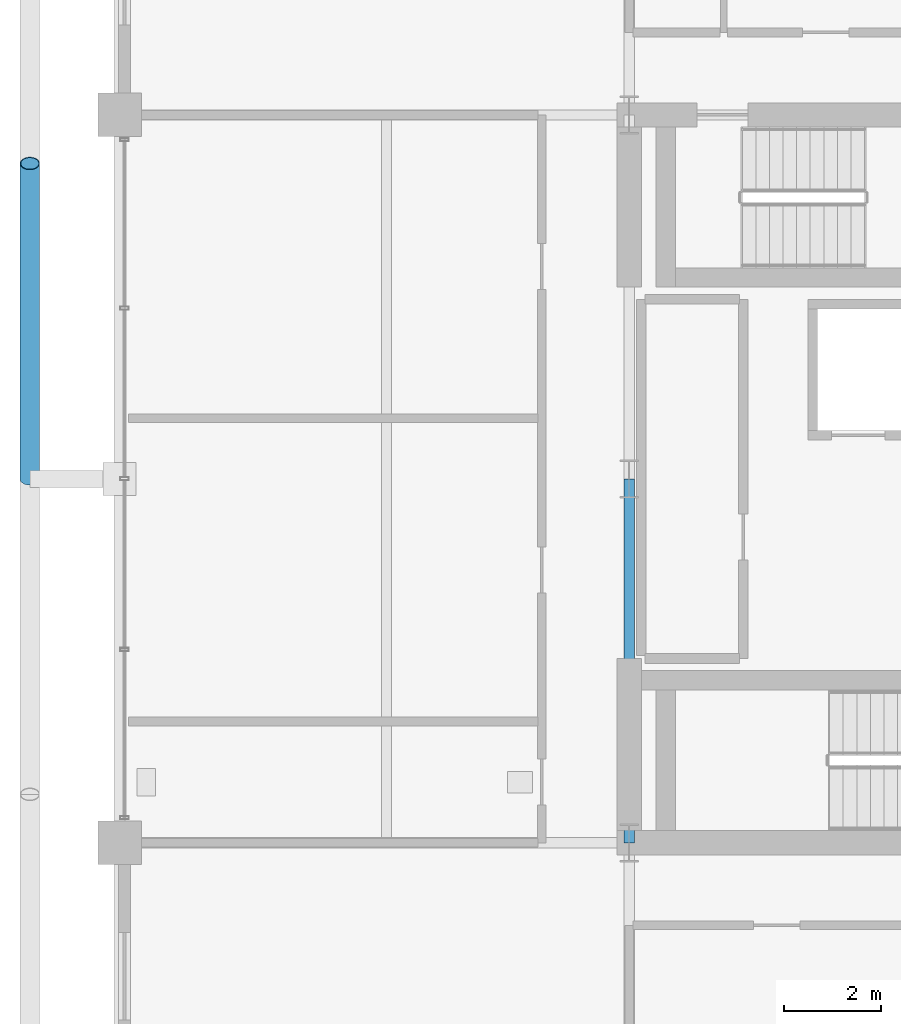
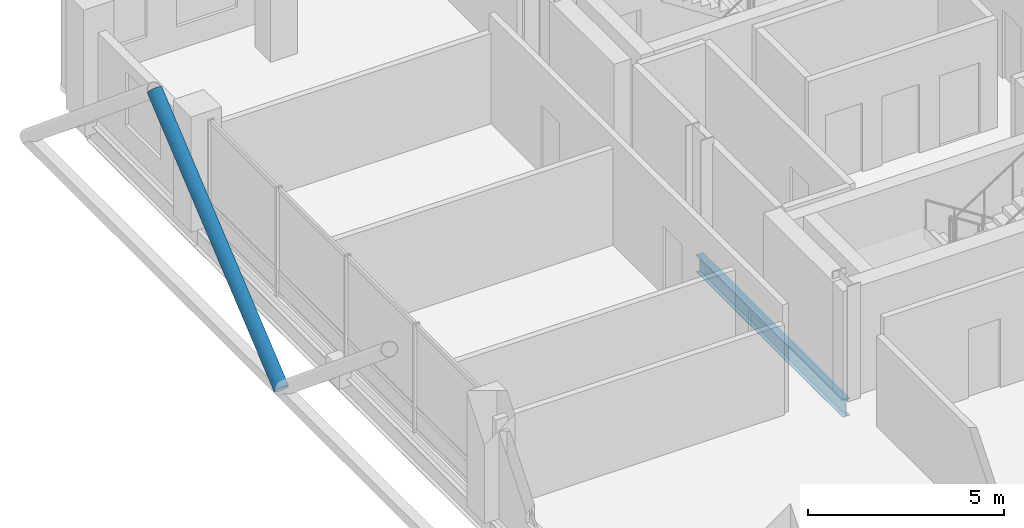
# One storey, part 9 of 24: 1 beam, 1 member.
"""IFC4 building model written with IfcOpenShell, lengths in metres."""

import ifcopenshell
import ifcopenshell.guid

model = None  # the IFC model being written
_history = None  # IfcOwnerHistory: only IFC2X3 demands one
_inside = {}  # id of a spatial element -> (the spatial element, [elements in it])
_under = {}  # id of a project, library or spatial element -> (it, [spatial elements below it])
_declared = {}  # id of a project -> (the project, [libraries it declares])
_typed = {}  # id of a type object -> (the type object, [elements of that type])
_made_of = {}  # id of a material, layer set ... -> (it, [elements and type objects made of it])


def new_model(schema):
    """Start an empty IFC model of exactly this schema.

    Asked for "IFC4X3", IfcOpenShell would pick the latest addendum, in which some entities
    have other attributes; the version numbers below select the first issue.
    IFC2X3 requires an IfcOwnerHistory on every rooted entity: one is made here for all.
    """
    global model, _history
    if schema == "IFC4X3":
        model = ifcopenshell.file(schema_version=(4, 3, 0, 0))
    else:
        model = ifcopenshell.file(schema=schema)
    _inside.clear()
    _under.clear()
    _declared.clear()
    _typed.clear()
    _made_of.clear()
    _history = None
    if model.schema == "IFC2X3":
        org = make("IfcOrganization", Name="unknown")
        user = make(
            "IfcPersonAndOrganization",
            ThePerson=make("IfcPerson", FamilyName="unknown"),
            TheOrganization=org,
        )
        app = make(
            "IfcApplication",
            ApplicationDeveloper=org,
            Version="unknown",
            ApplicationFullName="unknown",
            ApplicationIdentifier="unknown",
        )
        _history = make(
            "IfcOwnerHistory",
            OwningUser=user,
            OwningApplication=app,
            ChangeAction="ADDED",
            CreationDate=0,
        )
    return model


def make(cls, **values):
    """One entity of the class cls with the attributes given. An attribute that is None is left unset."""
    return model.create_entity(
        cls, **{name: value for name, value in values.items() if value is not None}
    )


def rooted(cls, **values):
    """An entity with a GlobalId (a new one), such as an element, a storey or a relation."""
    return make(cls, GlobalId=ifcopenshell.guid.new(), OwnerHistory=_history, **values)


def si_unit(unit_type, name, prefix=None):
    """IfcSIUnit, for example si_unit("LENGTHUNIT", "METRE", prefix="MILLI")."""
    return make("IfcSIUnit", UnitType=unit_type, Prefix=prefix, Name=name)


def assignment(units):
    """IfcUnitAssignment: the units of a project."""
    return None if units is None else make("IfcUnitAssignment", Units=units)


def point(xyz):
    """IfcCartesianPoint."""
    return None if xyz is None else make("IfcCartesianPoint", Coordinates=xyz)


def direction(xyz):
    """IfcDirection."""
    return None if xyz is None else make("IfcDirection", DirectionRatios=xyz)


def frame(location, z_axis=None, x_axis=None):
    """IfcAxis2Placement3D, a coordinate frame: its origin and axes. An axis left out is left unset."""
    return make(
        "IfcAxis2Placement3D",
        Location=point(location),
        Axis=direction(z_axis),
        RefDirection=direction(x_axis),
    )


def frame_2d(location, x_axis=None):
    """IfcAxis2Placement2D, a coordinate frame in the plane: its origin and x axis."""
    return make(
        "IfcAxis2Placement2D", Location=point(location), RefDirection=direction(x_axis)
    )


def origin():
    """The frame at (0, 0, 0) with its axes left unset."""
    return frame((0.0, 0.0, 0.0))


def origin_2d():
    """The frame at (0, 0) in the plane with its x axis left unset."""
    return frame_2d((0.0, 0.0))


def place(relative_to, where):
    """IfcLocalPlacement: puts the frame where relative to a parent placement (None: the world)."""
    return make(
        "IfcLocalPlacement", PlacementRelTo=relative_to, RelativePlacement=where
    )


def context(
    kind, dimensions, precision=None, world=None, true_north=None, identifier=None
):
    """IfcGeometricRepresentationContext, for example the 3D "Model" context."""
    return make(
        "IfcGeometricRepresentationContext",
        ContextIdentifier=identifier,
        ContextType=kind,
        CoordinateSpaceDimension=dimensions,
        Precision=precision,
        WorldCoordinateSystem=world,
        TrueNorth=true_north,
    )


def subcontext(parent, identifier, kind, view, scale=None):
    """IfcGeometricRepresentationSubContext, for example "Body" below "Model"."""
    return make(
        "IfcGeometricRepresentationSubContext",
        ContextIdentifier=identifier,
        ContextType=kind,
        ParentContext=parent,
        TargetScale=scale,
        TargetView=view,
    )


def project(units=None, contexts=None):
    """IfcProject with its units and contexts."""
    return rooted(
        "IfcProject",
        Name="project",
        RepresentationContexts=contexts,
        UnitsInContext=assignment(units),
    )


def spatial(cls, under=None, at=None, **own):
    """A site, building, storey or space (cls), placed at a placement, below another one or the project."""
    s = rooted(cls, ObjectPlacement=at, **own)
    if under is not None:
        _under.setdefault(under.id(), (under, []))[1].append(s)
    return s


def profile(cls, at=None, kind="AREA", **sizes):
    """A parametric profile (cls). Its sizes go by their IFC names, for example OverallWidth=200.0."""
    return make(cls, ProfileType=kind, Position=at, **sizes)


def hollow_circle(**sizes):
    """IfcCircleHollowProfileDef."""
    return profile("IfcCircleHollowProfileDef", **sizes)


def i_section(**sizes):
    """IfcIShapeProfileDef."""
    return profile("IfcIShapeProfileDef", **sizes)


def extrude(swept, where, along, depth):
    """IfcExtrudedAreaSolid: the profile swept, set in the frame where, extruded along a direction by depth."""
    return make(
        "IfcExtrudedAreaSolid",
        SweptArea=swept,
        Position=where,
        ExtrudedDirection=direction(along),
        Depth=depth,
    )


def shape(context_of_items, identifier, shape_type, items):
    """IfcShapeRepresentation: the items that make up one representation, for example the "Body"."""
    return make(
        "IfcShapeRepresentation",
        ContextOfItems=context_of_items,
        RepresentationIdentifier=identifier,
        RepresentationType=shape_type,
        Items=items,
    )


def material(Name=None, Category=None):
    """IfcMaterial."""
    return make("IfcMaterial", Name=Name, Category=Category)


def material_profile(
    of_material, cross_section, Name=None, Category=None, Priority=None
):
    """IfcMaterialProfile: a cross section and its material."""
    return make(
        "IfcMaterialProfile",
        Name=Name,
        Material=of_material,
        Profile=cross_section,
        Priority=Priority,
        Category=Category,
    )


def profile_set(profiles, Name=None, composite=None):
    """IfcMaterialProfileSet."""
    return make(
        "IfcMaterialProfileSet",
        Name=Name,
        MaterialProfiles=profiles,
        CompositeProfile=composite,
    )


def made_of(thing, what):
    """Note that an element or type object is made of a material, layer set ...; save() writes the relation."""
    if what is not None:
        _made_of.setdefault(what.id(), (what, []))[1].append(thing)
    return thing


def type_object(cls, material=None, **own):
    """A type object (cls), such as IfcWallType, which elements share."""
    return made_of(rooted(cls, **own), material)


def element(
    cls,
    number,
    at=None,
    inside=None,
    cuts=None,
    type_object=None,
    material=None,
    context=None,
    identifier="Body",
    shape_type=None,
    held_by="IfcProductDefinitionShape",
    body=None,
    shapes=None,
    **own,
):
    """One element of the class cls, such as IfcWall. Its Tag is "e" and its number.

    at: its placement. inside: the storey or other place that contains it. cuts: it is an
    opening in that element (IfcRelVoidsElement). A single representation is given by context,
    identifier, shape_type and body (its items); several are given by shapes. held_by: the class
    of the entity that holds the representations. save() writes the other relations.
    """
    e = rooted(cls, Tag="e%d" % number, ObjectPlacement=at, **own)
    if body is not None:
        shapes = [shape(context, identifier, shape_type, body)]
    if shapes is not None:
        e.Representation = make(held_by, Representations=shapes)
    if inside is not None:
        _inside.setdefault(inside.id(), (inside, []))[1].append(e)
    if cuts is not None:
        rooted(
            "IfcRelVoidsElement", RelatingBuildingElement=cuts, RelatedOpeningElement=e
        )
    if type_object is not None:
        _typed.setdefault(type_object.id(), (type_object, []))[1].append(e)
    return made_of(e, material)


def aggregate(whole, parts):
    """IfcRelAggregates: a whole, such as a stair, and the parts it consists of."""
    return rooted("IfcRelAggregates", RelatingObject=whole, RelatedObjects=parts)


def save(model, path):
    """Write the relations noted so far, then the file.

    IfcRelAggregates (storeys below a building ...), IfcRelContainedInSpatialStructure (elements
    in a storey), IfcRelDefinesByType, IfcRelAssociatesMaterial and IfcRelDeclares: one each for
    every whole, place, type object, material and project.
    """
    for whole, parts in _under.values():
        aggregate(whole, parts)
    for where, things in _inside.values():
        rooted(
            "IfcRelContainedInSpatialStructure",
            RelatedElements=things,
            RelatingStructure=where,
        )
    for kind, things in _typed.values():
        rooted("IfcRelDefinesByType", RelatedObjects=things, RelatingType=kind)
    for what, things in _made_of.values():
        rooted("IfcRelAssociatesMaterial", RelatedObjects=things, RelatingMaterial=what)
    for by, libraries in _declared.values():
        rooted("IfcRelDeclares", RelatingContext=by, RelatedDefinitions=libraries)
    model.write(path)


model = new_model("IFC4")

# Units and contexts
model_context = context("Model", 3, precision=1e-05, world=origin(), true_north=direction((0.0, 1.0)))
body_context = subcontext(model_context, "Body", "Model", "MODEL_VIEW")
ifc_project = project(units=[si_unit("LENGTHUNIT", "METRE"), si_unit("AREAUNIT", "SQUARE_METRE"), si_unit("VOLUMEUNIT", "CUBIC_METRE"), si_unit("PLANEANGLEUNIT", "RADIAN"), si_unit("MASSUNIT", "GRAM", prefix="KILO")], contexts=[model_context])

# Site, building, storey
site_placement = place(None, origin())
site = spatial("IfcSite", under=ifc_project, at=site_placement, CompositionType="ELEMENT")
building_placement = place(site_placement, origin())
building = spatial("IfcBuilding", under=site, at=building_placement, Name="Barlavira Tower and Art Museum", CompositionType="ELEMENT")
storey_placement = place(building_placement, frame((0.0, 0.0, 283.5)))
storey = spatial("IfcBuildingStorey", under=building, at=storey_placement, Name="L74", CompositionType="ELEMENT", Elevation=283.5)

# Member
ifc_material = material(Name="Steel S355", Category="steel")
ifc_material_profile_1 = material_profile(ifc_material, hollow_circle(Radius=0.203125, WallThickness=0.01611328125, at=origin_2d()), Name="CHS 406.4x16.0")
ifc_profile_set_1 = profile_set([ifc_material_profile_1], Name="Steel S355")
member_type = type_object("IfcMemberType", Name="Pale-Metal Exoskeleton Diagrid Tube CHS 406x16 Steel S355", PredefinedType="BRACE", material=ifc_profile_set_1)
member_placement = place(storey_placement, frame((-18.85009765625, 0.0, -0.1201171875), z_axis=(0.0, 0.76918185268, 0.639029950399), x_axis=(-1.0, 0.0, 0.0)))
element("IfcMember", 1, at=member_placement, inside=storey, type_object=member_type, Name="L74 Exoskeleton Diagrid Tube W", PredefinedType="BRACE", context=body_context, shape_type="SweptSolid", body=[
    extrude(hollow_circle(Radius=0.203125, WallThickness=0.01611328125, at=origin_2d()), origin(), (0.0, 0.0, 1.0), 8.450439453125),
])

# Beam
ifc_material_profile_2 = material_profile(ifc_material, i_section(OverallWidth=0.2109375, OverallDepth=0.5390625, WebThickness=0.01171875, FlangeThickness=0.018798828125, at=origin_2d()), Name="W530x109.0")
ifc_profile_set_2 = profile_set([ifc_material_profile_2], Name="Steel S355")
beam_type = type_object("IfcBeamType", Name="Zone 3-4 Primary Floor Girder W530x109 Steel S355", PredefinedType="BEAM", material=ifc_profile_set_2)
beam_placement = place(storey_placement, frame((-6.5, -7.5, -0.489501953125), z_axis=(0.0, 1.0, 0.0), x_axis=(-1.0, 0.0, 0.0)))
element("IfcBeam", 2, at=beam_placement, inside=storey, type_object=beam_type, Name="L74 Girder C-W1", PredefinedType="BEAM", context=body_context, shape_type="SweptSolid", body=[
    extrude(i_section(OverallWidth=0.2109375, OverallDepth=0.5390625, WebThickness=0.01171875, FlangeThickness=0.018798828125, at=origin_2d()), origin(), (0.0, 0.0, 1.0), 7.5),
])

save(model, "model.ifc")
